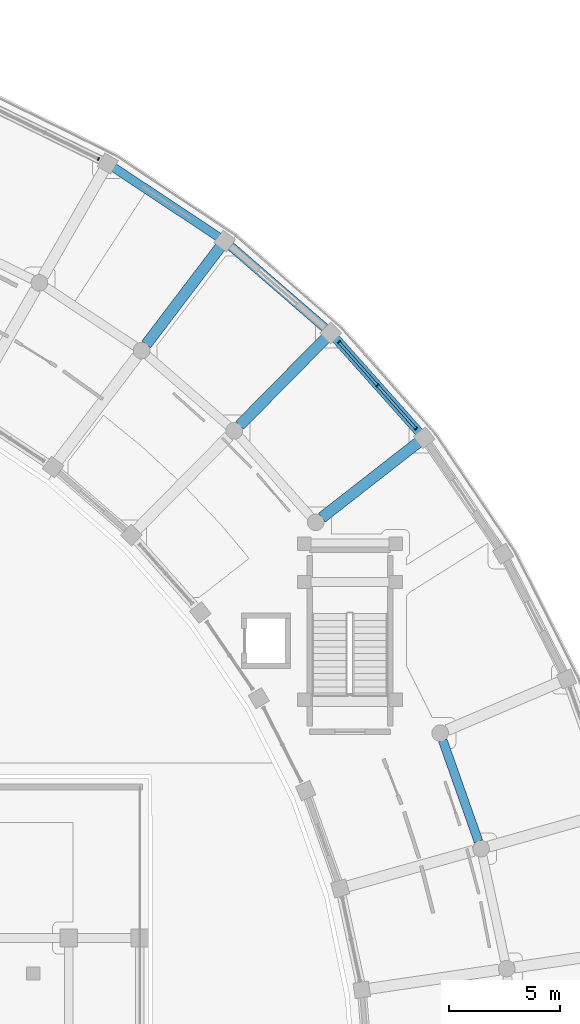
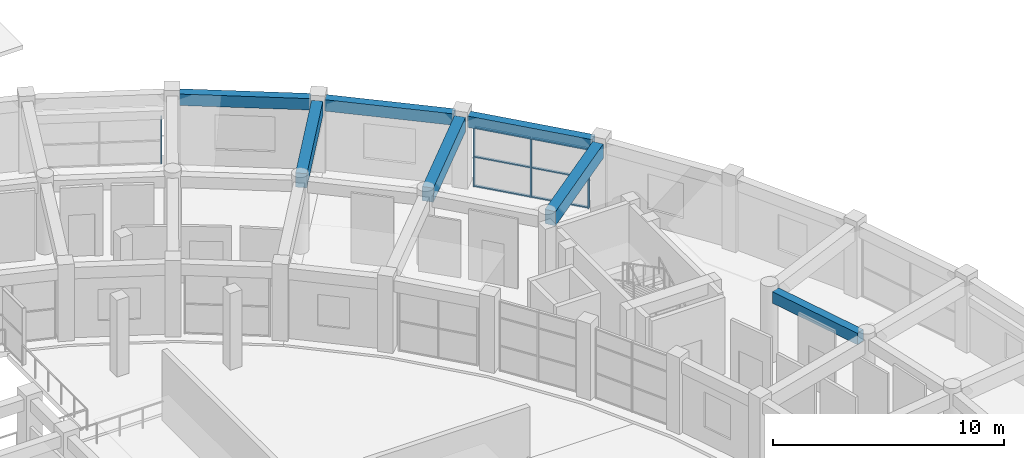
# One storey, part 40 of 87: 10 members, 7 beams, 2 elements without a shape of their own.
"""IFC4 building model written with IfcOpenShell, lengths in metres."""

from ifc_helpers import new_model, si_unit, direction, frame, origin, origin_2d, place, context, subcontext, project, spatial, rectangle, extrude, material, material_profile, profile_set, type_object, element, aggregate, save


model = new_model("IFC4")

# Units and contexts
model_context = context("Model", 3, precision=1e-05, world=origin(), true_north=direction((0.0, 1.0)))
body_context = subcontext(model_context, "Body", "Model", "MODEL_VIEW")
ifc_project = project(units=[si_unit("LENGTHUNIT", "METRE"), si_unit("AREAUNIT", "SQUARE_METRE"), si_unit("VOLUMEUNIT", "CUBIC_METRE"), si_unit("PLANEANGLEUNIT", "RADIAN"), si_unit("MASSUNIT", "GRAM", prefix="KILO")], contexts=[model_context])

# Site, building, storey
site_placement = place(None, origin())
site = spatial("IfcSite", under=ifc_project, at=site_placement, CompositionType="ELEMENT")
building_placement = place(site_placement, origin())
building = spatial("IfcBuilding", under=site, at=building_placement, Name="Saryqyr Civic Hall", CompositionType="ELEMENT")
storey_placement = place(building_placement, frame((0.0, 0.0, 5.10009765625)))
storey = spatial("IfcBuildingStorey", under=building, at=storey_placement, Name="L01", CompositionType="ELEMENT", Elevation=5.10009765625)

# Curtain wall, members
ifc_material_1 = material(Name="Anodised aluminium and triple low-E glass", Category="aluminium")
curtain_wall_type_1 = type_object("IfcCurtainWallType", Name="ENV-CW-STD-46", PredefinedType="NOTDEFINED", material=ifc_material_1)
curtain_wall_1_placement = place(storey_placement, origin())
curtain_wall_1 = element("IfcCurtainWall", 1, at=curtain_wall_1_placement, inside=storey, type_object=curtain_wall_type_1, Name="Curtain wall V6-CWO-L01-05", PredefinedType="NOTDEFINED")
ifc_material_2 = material(Name="Anodised aluminium", Category="aluminium")
ifc_material_profile_1 = material_profile(ifc_material_2, rectangle(XDim=0.06005859375, YDim=0.159912109375, at=origin_2d()), Name="ALU MULLION 60x160")
ifc_profile_set_1 = profile_set([ifc_material_profile_1], Name="Anodised aluminium")
member_type_1 = type_object("IfcMemberType", Name="ENV-CW-MUL-180", PredefinedType="MULLION", material=ifc_profile_set_1)
member_1_placement = place(storey_placement, frame((91.784912109375, 118.46484375, 0.0), z_axis=(0.0, 0.0, 1.0), x_axis=(0.664936864868, -0.74689956871, 0.0)))
member_1 = element("IfcMember", 2, at=member_1_placement, type_object=member_type_1, Name="CW-46 mullion 1", PredefinedType="MULLION", context=body_context, shape_type="SweptSolid", body=[
    extrude(rectangle(XDim=0.06005859375, YDim=0.159912109375, at=origin_2d()), origin(), (0.0, 0.0, 1.0), 3.14501953125),
])
member_2_placement = place(storey_placement, frame((93.521728515625, 116.513916015625, 0.0), z_axis=(0.0, 0.0, 1.0), x_axis=(0.664936864868, -0.74689956871, 0.0)))
member_2 = element("IfcMember", 3, at=member_2_placement, type_object=member_type_1, Name="CW-46 mullion 2", PredefinedType="MULLION", context=body_context, shape_type="SweptSolid", body=[
    extrude(rectangle(XDim=0.06005859375, YDim=0.159912109375, at=origin_2d()), origin(), (0.0, 0.0, 1.0), 3.14501953125),
])
member_3_placement = place(storey_placement, frame((95.258544921875, 114.56298828125, 0.0), z_axis=(0.0, 0.0, 1.0), x_axis=(0.664936864868, -0.74689956871, 0.0)))
member_3 = element("IfcMember", 4, at=member_3_placement, type_object=member_type_1, Name="CW-46 mullion 3", PredefinedType="MULLION", context=body_context, shape_type="SweptSolid", body=[
    extrude(rectangle(XDim=0.06005859375, YDim=0.159912109375, at=origin_2d()), origin(), (0.0, 0.0, 1.0), 3.14501953125),
])

# Curtain wall, member
curtain_wall_type_2 = type_object("IfcCurtainWallType", Name="ENV-CW-STD-38", PredefinedType="NOTDEFINED", material=ifc_material_1)
curtain_wall_2_placement = place(storey_placement, origin())
curtain_wall_2 = element("IfcCurtainWall", 5, at=curtain_wall_2_placement, inside=storey, type_object=curtain_wall_type_2, Name="Curtain wall V6-CWO-L01-08", PredefinedType="NOTDEFINED")
member_4_placement = place(storey_placement, frame((80.942138671875, 126.720703125, 0.0), z_axis=(0.0, 0.0, 1.0), x_axis=(0.897970253811, -0.440056159224, 0.0)))
member_4 = element("IfcMember", 6, at=member_4_placement, type_object=member_type_1, Name="CW-38 mullion 3", PredefinedType="MULLION", context=body_context, shape_type="SweptSolid", body=[
    extrude(rectangle(XDim=0.06005859375, YDim=0.159912109375, at=origin_2d()), origin(), (0.0, 0.0, 1.0), 2.449951171875),
])
aggregate(curtain_wall_2, [member_4])

# Member
ifc_material_profile_2 = material_profile(ifc_material_2, rectangle(XDim=0.1201171875, YDim=0.06005859375, at=origin_2d()), Name="ALU TRANSOM 120x60")
ifc_profile_set_2 = profile_set([ifc_material_profile_2], Name="Anodised aluminium")
member_type_2 = type_object("IfcMemberType", Name="ENV-CW-TRN-150", PredefinedType="USERDEFINED", material=ifc_profile_set_2)
member_5_placement = place(storey_placement, frame((91.8046875, 118.4423828125, 0.02978515625), z_axis=(0.664975219817, -0.746865420963, 0.0), x_axis=(0.746865420963, 0.664975219817, 0.0)))
member_5 = element("IfcMember", 7, at=member_5_placement, type_object=member_type_2, Name="CW-46 transom 1.1", ObjectType="TRANSOM", PredefinedType="USERDEFINED", context=body_context, shape_type="SweptSolid", body=[
    extrude(rectangle(XDim=0.1201171875, YDim=0.06005859375, at=origin_2d()), origin(), (0.0, 0.0, 1.0), 2.552001953125),
])

member_6_placement = place(storey_placement, frame((91.8046875, 118.4423828125, 1.572021484375), z_axis=(0.664975219817, -0.746865420963, 0.0), x_axis=(0.746865420963, 0.664975219817, 0.0)))
member_6 = element("IfcMember", 8, at=member_6_placement, type_object=member_type_2, Name="CW-46 transom 1.2", ObjectType="TRANSOM", PredefinedType="USERDEFINED", context=body_context, shape_type="SweptSolid", body=[
    extrude(rectangle(XDim=0.1201171875, YDim=0.06005859375, at=origin_2d()), origin(), (0.0, 0.0, 1.0), 2.552001953125),
])

member_7_placement = place(storey_placement, frame((91.8046875, 118.4423828125, 3.114990234375), z_axis=(0.664975219817, -0.746865420963, 0.0), x_axis=(0.746865420963, 0.664975219817, 0.0)))
member_7 = element("IfcMember", 9, at=member_7_placement, type_object=member_type_2, Name="CW-46 transom 1.3", ObjectType="TRANSOM", PredefinedType="USERDEFINED", context=body_context, shape_type="SweptSolid", body=[
    extrude(rectangle(XDim=0.1201171875, YDim=0.06005859375, at=origin_2d()), origin(), (0.0, 0.0, 1.0), 2.552001953125),
])

member_8_placement = place(storey_placement, frame((93.541748046875, 116.491455078125, 0.02978515625), z_axis=(0.6649218514, -0.746912934371, 0.0), x_axis=(0.746912934371, 0.6649218514, 0.0)))
member_8 = element("IfcMember", 10, at=member_8_placement, type_object=member_type_2, Name="CW-46 transom 2.1", ObjectType="TRANSOM", PredefinedType="USERDEFINED", context=body_context, shape_type="SweptSolid", body=[
    extrude(rectangle(XDim=0.1201171875, YDim=0.06005859375, at=origin_2d()), origin(), (0.0, 0.0, 1.0), 2.5517578125),
])

member_9_placement = place(storey_placement, frame((93.541748046875, 116.491455078125, 1.572021484375), z_axis=(0.6649218514, -0.746912934371, 0.0), x_axis=(0.746912934371, 0.6649218514, 0.0)))
member_9 = element("IfcMember", 11, at=member_9_placement, type_object=member_type_2, Name="CW-46 transom 2.2", ObjectType="TRANSOM", PredefinedType="USERDEFINED", context=body_context, shape_type="SweptSolid", body=[
    extrude(rectangle(XDim=0.1201171875, YDim=0.06005859375, at=origin_2d()), origin(), (0.0, 0.0, 1.0), 2.5517578125),
])

member_10_placement = place(storey_placement, frame((93.541748046875, 116.491455078125, 3.114990234375), z_axis=(0.6649218514, -0.746912934371, 0.0), x_axis=(0.746912934371, 0.6649218514, 0.0)))
member_10 = element("IfcMember", 12, at=member_10_placement, type_object=member_type_2, Name="CW-46 transom 2.3", ObjectType="TRANSOM", PredefinedType="USERDEFINED", context=body_context, shape_type="SweptSolid", body=[
    extrude(rectangle(XDim=0.1201171875, YDim=0.06005859375, at=origin_2d()), origin(), (0.0, 0.0, 1.0), 2.5517578125),
])

aggregate(curtain_wall_1, [member_1, member_2, member_3, member_5, member_6, member_7, member_8, member_9, member_10])

# Beams
ifc_material_3 = material(Name="Concrete C35/45", Category="concrete")
ifc_material_profile_3 = material_profile(ifc_material_3, rectangle(XDim=0.39990234375, YDim=0.60009765625, at=origin_2d()), Name="RC 400x600")
ifc_profile_set_3 = profile_set([ifc_material_profile_3], Name="Concrete C35/45")
beam_type_1 = type_object("IfcBeamType", Name="STR-BM-RC400x600", PredefinedType="BEAM", material=ifc_profile_set_3)
beam_1_placement = place(storey_placement, frame((98.074462890625, 95.954833984375, 3.469970703125), z_axis=(-0.333214233521, 0.942851141262, 0.0), x_axis=(-0.942851141262, -0.333214233521, 0.0)))
element("IfcBeam", 13, at=beam_1_placement, inside=storey, type_object=beam_type_1, Name="Beam V6-CBM-MID02-L01", PredefinedType="BEAM", context=body_context, shape_type="SweptSolid", body=[
    extrude(rectangle(XDim=0.39990234375, YDim=0.60009765625, at=origin_2d()), origin(), (0.0, 0.0, 1.0), 4.82763671875),
])
ifc_material_profile_4 = material_profile(ifc_material_3, rectangle(XDim=0.39990234375, YDim=0.60009765625, at=origin_2d()), Name="RC 400x600")
ifc_profile_set_4 = profile_set([ifc_material_profile_4], Name="Concrete C35/45")
beam_type_2 = type_object("IfcBeamType", Name="STR-BM-RC400x600-EXT", PredefinedType="BEAM", material=ifc_profile_set_4)
for number, where, z_axis, x_axis, name in (
    (14, (95.40966796875, 114.393310546875, 3.469970703125), (-0.66494539104, 0.74689197809, 0.0), (-0.74689197809, -0.66494539104, 0.0), "Beam V6-CBM-OUT05-L01"),
    (15, (91.172119140625, 119.090087890625, 3.469970703125), (-0.755657873282, 0.654966547655, 0.0), (-0.654966547655, -0.755657873282, 0.0), "Beam V6-CBM-OUT06-L01"),
    (16, (86.364501953125, 123.20166015625, 3.469970703125), (-0.833752914837, 0.552137733722, 0.0), (-0.552137733722, -0.833752914837, 0.0), "Beam V6-CBM-OUT07-L01"),
):
    element("IfcBeam", number, at=place(storey_placement, frame(where, z_axis=z_axis, x_axis=x_axis)), inside=storey, type_object=beam_type_2, Name=name, PredefinedType="BEAM", context=body_context, shape_type="SweptSolid", body=[
        extrude(rectangle(XDim=0.39990234375, YDim=0.60009765625, at=origin_2d()), origin(), (0.0, 0.0, 1.0), 5.678466796875),
    ])
ifc_material_4 = material(Name="Concrete C40/50", Category="concrete")
ifc_material_profile_5 = material_profile(ifc_material_4, rectangle(XDim=0.5, YDim=0.75, at=origin_2d()), Name="RC 500x750")
ifc_profile_set_5 = profile_set([ifc_material_profile_5], Name="Concrete C40/50")
beam_type_3 = type_object("IfcBeamType", Name="STR-BM-RC500x750", PredefinedType="BEAM", material=ifc_profile_set_5)
beam_2_placement = place(storey_placement, frame((91.014404296875, 110.551025390625, 3.39501953125), z_axis=(0.788258798867, 0.615343859975, 0.0), x_axis=(-0.615343859975, 0.788258798867, 0.0)))
element("IfcBeam", 17, at=beam_2_placement, inside=storey, type_object=beam_type_3, Name="Beam V6-RBM-B05-L01", PredefinedType="BEAM", context=body_context, shape_type="SweptSolid", body=[
    extrude(rectangle(XDim=0.5, YDim=0.75, at=origin_2d()), origin(), (0.0, 0.0, 1.0), 5.52490234375),
])
for number, where, z_axis, x_axis, name in (
    (18, (87.30859375, 114.71337890625, 3.39501953125), (0.702407373733, 0.71177516206, 0.0), (-0.71177516206, 0.702407373733, 0.0), "Beam V6-RBM-B06-L01"),
    (19, (83.097412109375, 118.36328125, 3.39501953125), (0.604789691, 0.796385226923, 0.0), (-0.796385226923, 0.604789691, 0.0), "Beam V6-RBM-B07-L01"),
):
    element("IfcBeam", number, at=place(storey_placement, frame(where, z_axis=z_axis, x_axis=x_axis)), inside=storey, type_object=beam_type_3, Name=name, PredefinedType="BEAM", context=body_context, shape_type="SweptSolid", body=[
        extrude(rectangle(XDim=0.5, YDim=0.75, at=origin_2d()), origin(), (0.0, 0.0, 1.0), 5.525146484375),
    ])

save(model, "model.ifc")
